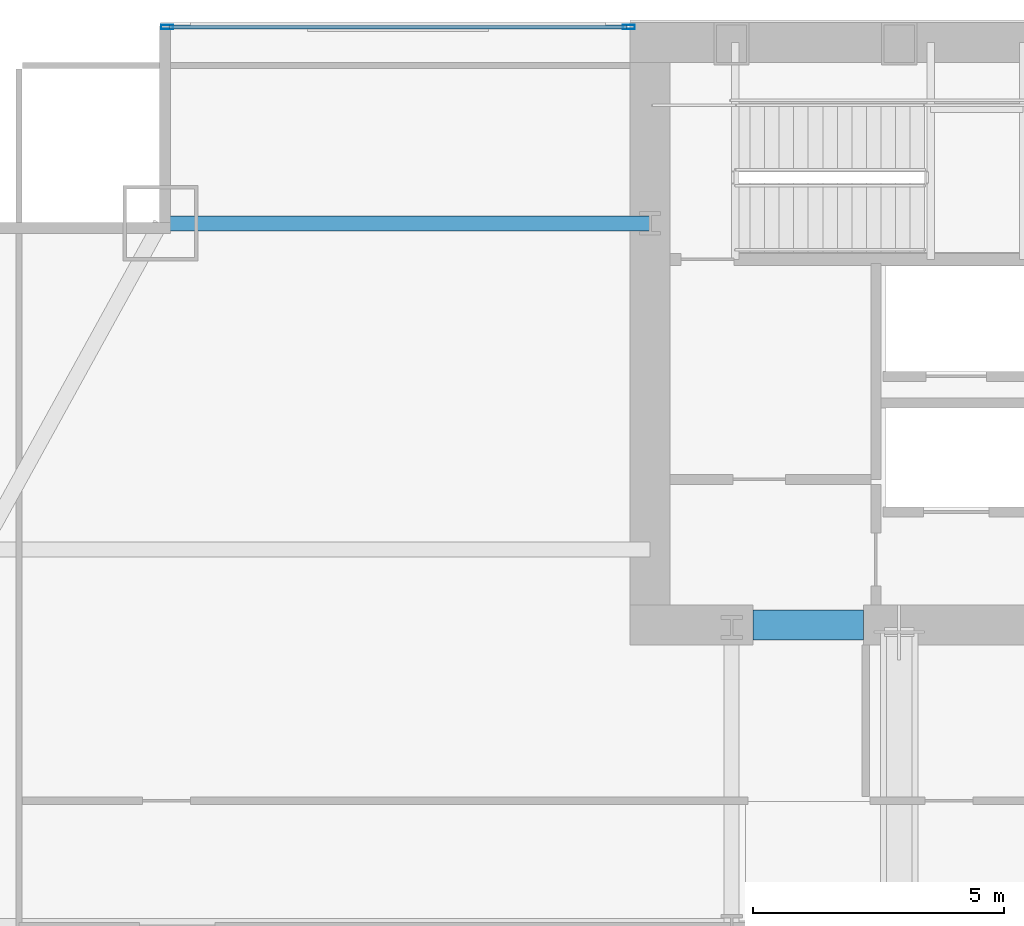
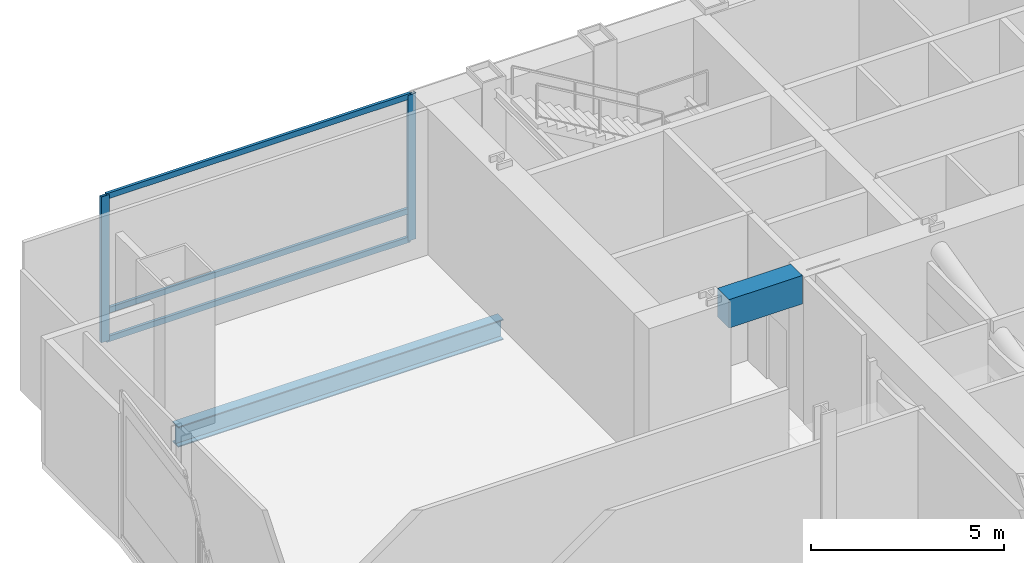
# One storey, part 18 of 32: 5 members, 2 beams, 1 element without a shape of its own.
"""IFC4 building model written with IfcOpenShell, lengths in metres."""

from ifc_helpers import new_model, si_unit, direction, frame, origin, origin_2d, place, context, subcontext, project, spatial, rectangle, hollow_rectangle, i_section, extrude, material, material_profile, profile_set, type_object, element, aggregate, save


model = new_model("IFC4")

# Units and contexts
model_context = context("Model", 3, precision=1e-05, world=origin(), true_north=direction((0.0, 1.0)))
body_context = subcontext(model_context, "Body", "Model", "MODEL_VIEW")
ifc_project = project(units=[si_unit("LENGTHUNIT", "METRE"), si_unit("AREAUNIT", "SQUARE_METRE"), si_unit("VOLUMEUNIT", "CUBIC_METRE"), si_unit("PLANEANGLEUNIT", "RADIAN"), si_unit("MASSUNIT", "GRAM", prefix="KILO")], contexts=[model_context])

# Site, building, storey
site_placement = place(None, origin())
site = spatial("IfcSite", under=ifc_project, at=site_placement, CompositionType="ELEMENT")
building_placement = place(site_placement, origin())
building = spatial("IfcBuilding", under=site, at=building_placement, Name="Khoronbel Lancet Exchange", CompositionType="ELEMENT")
storey_placement = place(building_placement, frame((0.0, 0.0, 85.800048828125)))
storey = spatial("IfcBuildingStorey", under=building, at=storey_placement, Name="L20", CompositionType="ELEMENT", Elevation=85.800048828125)

# Beams
ifc_material_1 = material(Name="Concrete C80/95", Category="concrete")
ifc_material_profile_1 = material_profile(ifc_material_1, rectangle(XDim=0.60009765625, YDim=0.89990234375, at=origin_2d()), Name="RC 600x900")
ifc_profile_set_1 = profile_set([ifc_material_profile_1], Name="Concrete C80/95")
beam_type_1 = type_object("IfcBeamType", Name="BM-BL1", PredefinedType="LINTEL", material=ifc_profile_set_1)
beam_1_placement = place(storey_placement, frame((18.64990234375, 41.699951171875, 4.169921875), z_axis=(1.0, 0.0, 0.0), x_axis=(0.0, 1.0, 0.0)))
element("IfcBeam", 1, at=beam_1_placement, inside=storey, type_object=beam_type_1, Name="Level L20 rear core coupling lintel L1", PredefinedType="LINTEL", context=body_context, shape_type="SweptSolid", body=[
    extrude(rectangle(XDim=0.60009765625, YDim=0.89990234375, at=origin_2d()), origin(), (0.0, 0.0, 1.0), 2.2001953125),
])
ifc_material_2 = material(Name="Steel S355", Category="steel")
ifc_material_profile_2 = material_profile(ifc_material_2, i_section(OverallWidth=0.300048828125, OverallDepth=0.64990234375, WebThickness=0.01611328125, FlangeThickness=0.031005859375, at=origin_2d()), Name="HEB 650")
ifc_profile_set_2 = profile_set([ifc_material_profile_2], Name="Steel S355")
beam_type_2 = type_object("IfcBeamType", Name="BM-BSP1", PredefinedType="SPANDREL", material=ifc_profile_set_2)
beam_2_placement = place(storey_placement, frame((6.85009765625, 49.699951171875, -0.545166015625), z_axis=(1.0, 0.0, 0.0), x_axis=(0.0, 1.0, 0.0)))
element("IfcBeam", 2, at=beam_2_placement, inside=storey, type_object=beam_type_2, Name="Level L20 north flank tie spandrel SP22", PredefinedType="SPANDREL", context=body_context, shape_type="SweptSolid", body=[
    extrude(i_section(OverallWidth=0.300048828125, OverallDepth=0.64990234375, WebThickness=0.01611328125, FlangeThickness=0.031005859375, at=origin_2d()), origin(), (0.0, 0.0, 1.0), 9.75),
])

# Curtain wall, members
ifc_material_3 = material(Name="Low-E Solar Control Insulating Glass", Category="glass")
curtain_wall_type = type_object("IfcCurtainWallType", Name="CW-2", PredefinedType="NOTDEFINED", material=ifc_material_3)
curtain_wall_placement = place(storey_placement, origin())
curtain_wall = element("IfcCurtainWall", 3, at=curtain_wall_placement, inside=storey, type_object=curtain_wall_type, Name="Unitised curtain wall CW-L20-NWFLK", PredefinedType="NOTDEFINED")
ifc_material_4 = material(Name="Bronze-Anodised Aluminium 6063-T6", Category="aluminium")
ifc_material_profile_3 = material_profile(ifc_material_4, hollow_rectangle(XDim=0.0849609375, YDim=0.239990234375, WallThickness=0.006103515625, at=origin_2d()), Name="ALU MULLION 85x240")
ifc_profile_set_3 = profile_set([ifc_material_profile_3], Name="Bronze-Anodised Aluminium 6063-T6")
member_type_1 = type_object("IfcMemberType", Name="MEM-CWM1", PredefinedType="MULLION", material=ifc_profile_set_3)
member_1_placement = place(storey_placement, frame((16.177490234375, 53.610107421875, 0.0), z_axis=(0.0, 0.0, 1.0), x_axis=(0.0, -1.0, 0.0)))
member_1 = element("IfcMember", 4, at=member_1_placement, type_object=member_type_1, Name="CW2 mullion 1", PredefinedType="MULLION", context=body_context, shape_type="SweptSolid", body=[
    extrude(hollow_rectangle(XDim=0.0849609375, YDim=0.239990234375, WallThickness=0.006103515625, at=origin_2d()), origin(), (0.0, 0.0, 1.0), 4.619873046875),
])
member_2_placement = place(storey_placement, frame((6.982421875, 53.610107421875, 0.0), z_axis=(0.0, 0.0, 1.0), x_axis=(0.0, -1.0, 0.0)))
member_2 = element("IfcMember", 5, at=member_2_placement, type_object=member_type_1, Name="CW2 mullion 2", PredefinedType="MULLION", context=body_context, shape_type="SweptSolid", body=[
    extrude(hollow_rectangle(XDim=0.0849609375, YDim=0.239990234375, WallThickness=0.006103515625, at=origin_2d()), origin(), (0.0, 0.0, 1.0), 4.619873046875),
])
ifc_material_profile_4 = material_profile(ifc_material_4, hollow_rectangle(XDim=0.0849609375, YDim=0.179931640625, WallThickness=0.0048828125, at=origin_2d()), Name="ALU TRANSOM 85x180")
ifc_profile_set_4 = profile_set([ifc_material_profile_4], Name="Bronze-Anodised Aluminium 6063-T6")
member_type_2 = type_object("IfcMemberType", Name="MEM-CWT1", PredefinedType="USERDEFINED", material=ifc_profile_set_4)
member_3_placement = place(storey_placement, frame((16.135009765625, 53.610107421875, 0.04248046875), z_axis=(-1.0, 0.0, 0.0), x_axis=(0.0, -1.0, 0.0)))
member_3 = element("IfcMember", 6, at=member_3_placement, type_object=member_type_2, Name="CW2 transom 1.1", ObjectType="TRANSOM", PredefinedType="USERDEFINED", context=body_context, shape_type="SweptSolid", body=[
    extrude(hollow_rectangle(XDim=0.0849609375, YDim=0.179931640625, WallThickness=0.0048828125, at=origin_2d()), origin(), (0.0, 0.0, 1.0), 9.110107421875),
])
member_4_placement = place(storey_placement, frame((16.135009765625, 53.610107421875, 0.949951171875), z_axis=(-1.0, 0.0, 0.0), x_axis=(0.0, -1.0, 0.0)))
member_4 = element("IfcMember", 7, at=member_4_placement, type_object=member_type_2, Name="CW2 transom 1.2", ObjectType="TRANSOM", PredefinedType="USERDEFINED", context=body_context, shape_type="SweptSolid", body=[
    extrude(hollow_rectangle(XDim=0.0849609375, YDim=0.179931640625, WallThickness=0.0048828125, at=origin_2d()), origin(), (0.0, 0.0, 1.0), 9.110107421875),
])
member_5_placement = place(storey_placement, frame((16.135009765625, 53.610107421875, 4.577392578125), z_axis=(-1.0, 0.0, 0.0), x_axis=(0.0, -1.0, 0.0)))
member_5 = element("IfcMember", 8, at=member_5_placement, type_object=member_type_2, Name="CW2 transom 1.3", ObjectType="TRANSOM", PredefinedType="USERDEFINED", context=body_context, shape_type="SweptSolid", body=[
    extrude(hollow_rectangle(XDim=0.0849609375, YDim=0.179931640625, WallThickness=0.0048828125, at=origin_2d()), origin(), (0.0, 0.0, 1.0), 9.110107421875),
])
aggregate(curtain_wall, [member_1, member_2, member_3, member_4, member_5])

save(model, "model.ifc")
